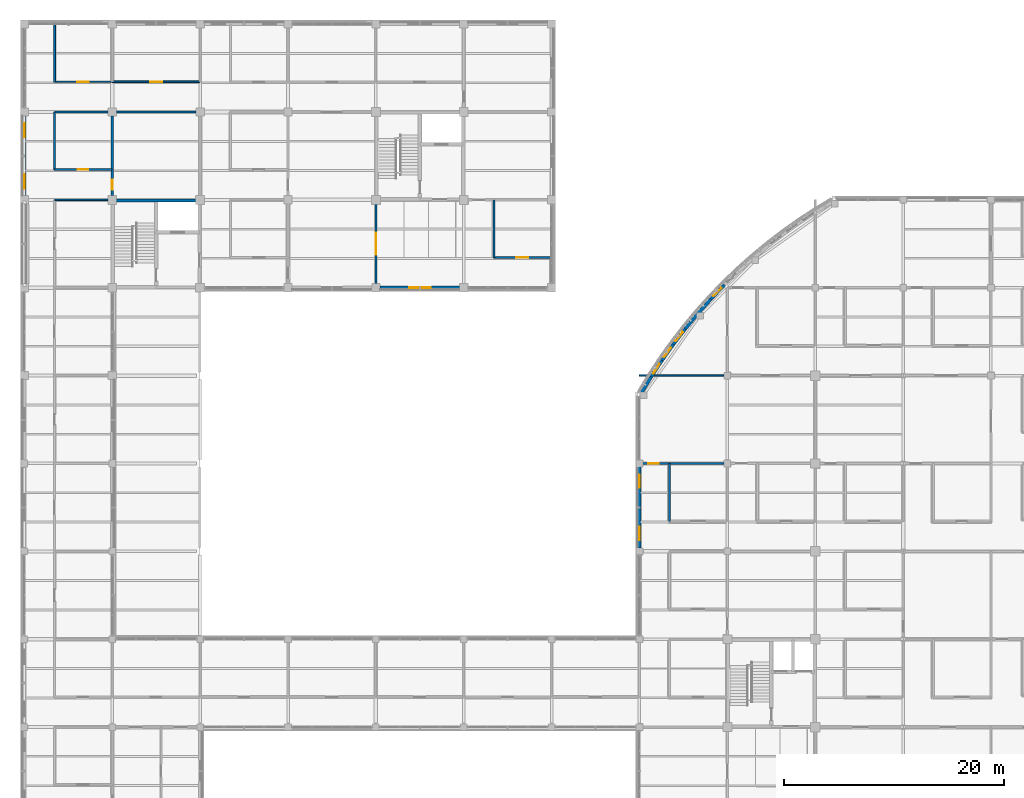
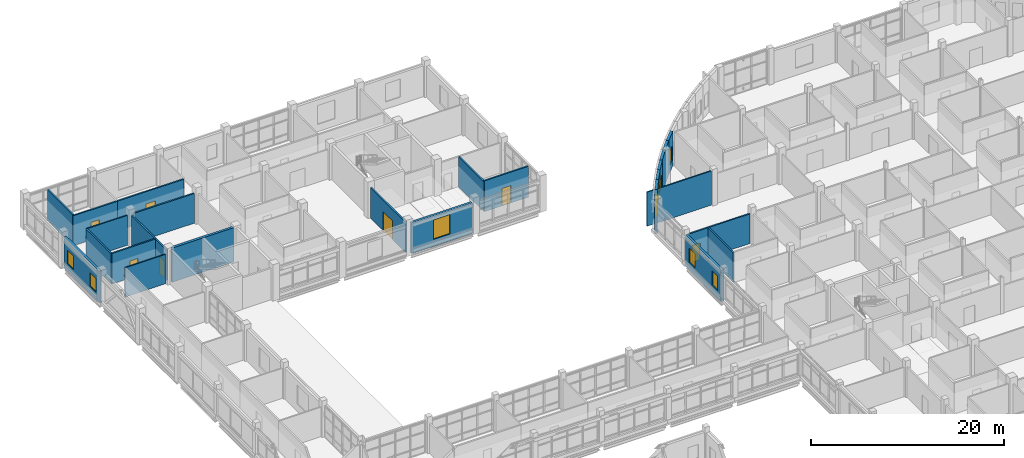
# One storey, part 86 of 121: 26 walls, 9 windows, 7 doors, 16 openings.
"""IFC4 building model written with IfcOpenShell, lengths in metres."""

from ifc_helpers import new_model, si_unit, derived_unit, direction, frame, frame_2d, origin, place, context, subcontext, project, spatial, rectangle, extrude, material, layer, layer_set, type_object, element, fill, save


model = new_model("IFC4")

# Units and contexts
model_context = context("Model", 3, precision=1e-05, world=origin(), true_north=direction((0.0, 1.0)))
body_context = subcontext(model_context, "Body", "Model", "MODEL_VIEW")
ifc_project = project(units=[si_unit("LENGTHUNIT", "METRE"), si_unit("AREAUNIT", "SQUARE_METRE"), si_unit("VOLUMEUNIT", "CUBIC_METRE"), si_unit("PLANEANGLEUNIT", "RADIAN"), si_unit("MASSUNIT", "GRAM", prefix="KILO"), derived_unit("THERMALTRANSMITTANCEUNIT", [(si_unit("MASSUNIT", "GRAM", prefix="KILO"), 1), (si_unit("TIMEUNIT", "SECOND"), -3), (si_unit("THERMODYNAMICTEMPERATUREUNIT", "KELVIN"), -1)])], contexts=[model_context])

# Site, building, storey
site_placement = place(None, origin())
site = spatial("IfcSite", under=ifc_project, at=site_placement, CompositionType="ELEMENT")
building_placement = place(site_placement, origin())
building = spatial("IfcBuilding", under=site, at=building_placement, Name="Veyamyaing Civic Hall", CompositionType="ELEMENT")
storey_placement = place(building_placement, frame((0.0, 0.0, 5.280029296875)))
storey = spatial("IfcBuildingStorey", under=building, at=storey_placement, Name="L01", CompositionType="ELEMENT", Elevation=5.280029296875)

# Wall, opening, window
ifc_material_1 = material(Name="Precast concrete C40/50", Category="concrete")
ifc_layer_1 = layer(ifc_material_1, 0.304931640625, Name="Precast concrete C40/50")
ifc_layer_set_1 = layer_set([ifc_layer_1], Name="Precast concrete C40/50")
wall_type_1 = type_object("IfcWallType", Name="WT-03", PredefinedType="SOLIDWALL", material=ifc_layer_set_1)
wall_1_placement = place(storey_placement, frame((63.73974609375, 88.264404296875, 0.0), z_axis=(0.0, 0.0, 1.0), x_axis=(-0.693722700342, -0.720242191926, 0.0)))
wall_1 = element("IfcWall", 1, at=wall_1_placement, inside=storey, type_object=wall_type_1, Name="Curved corner facade wall WT-03 L01 NW.8", PredefinedType="SOLIDWALL", context=body_context, shape_type="SweptSolid", body=[
    extrude(rectangle(XDim=1.795166015625, YDim=0.304931640625, at=frame_2d((0.8974609375, 0.0))), origin(), (0.0, 0.0, 1.0), 4.3349609375),
])
opening_1_placement = place(wall_1_placement, frame((0.37255859375, 0.0, 0.89990234375)))
opening_1 = element("IfcOpeningElement", 2, at=opening_1_placement, cuts=wall_1, Name="Opening W-16", PredefinedType="OPENING", context=body_context, shape_type="SweptSolid", body=[
    extrude(rectangle(XDim=1.050048828125, YDim=1.85009765625, at=frame_2d((0.52490234375, 0.925048828125))), frame((0.0, 0.162353515625, 0.0), z_axis=(0.0, -1.0, 0.0), x_axis=(1.0, 0.0, 0.0)), (0.0, 0.0, 1.0), 0.324951171875),
])
ifc_material_2 = material(Name="Low-E insulated glass", Category="glass")
window_type_1 = type_object("IfcWindowType", Name="W-16", PartitioningType="SINGLE_PANEL", PredefinedType="WINDOW", material=ifc_material_2)
window_1_placement = place(opening_1_placement, origin())
window_1 = element("IfcWindow", 3, at=window_1_placement, inside=storey, type_object=window_type_1, Name="Curved ribbon window W-16 L01 NW.8", OverallHeight=1.85009765625, OverallWidth=1.050048828125, PartitioningType="SINGLE_PANEL", PredefinedType="WINDOW", context=body_context, shape_type="SweptSolid", body=[
    extrude(rectangle(XDim=1.050048828125, YDim=1.85009765625, at=frame_2d((0.52490234375, 0.925048828125))), frame((0.0, 0.030029296875, 0.0), z_axis=(0.0, -1.0, 0.0), x_axis=(1.0, 0.0, 0.0)), (0.0, 0.0, 1.0), 0.06005859375),
])
fill(opening_1, window_1)

# Walls
wall_2_placement = place(storey_placement, frame((62.498291015625, 86.975830078125, 0.0), z_axis=(0.0, 0.0, 1.0), x_axis=(-0.666277888361, -0.745703543965, 0.0)))
element("IfcWall", 4, at=wall_2_placement, inside=storey, type_object=wall_type_1, Name="Curved corner facade wall WT-03 L01 NW.9", PredefinedType="SOLIDWALL", context=body_context, shape_type="SweptSolid", body=[
    extrude(rectangle(XDim=1.795166015625, YDim=0.304931640625, at=frame_2d((0.8974609375, 0.0))), origin(), (0.0, 0.0, 1.0), 4.3349609375),
])
wall_3_placement = place(storey_placement, frame((61.305908203125, 85.6416015625, 0.0), z_axis=(0.0, 0.0, 1.0), x_axis=(-0.638054732073, -0.769991012207, 0.0)))
element("IfcWall", 5, at=wall_3_placement, inside=storey, type_object=wall_type_1, Name="Curved corner facade wall WT-03 L01 NW.10", PredefinedType="SOLIDWALL", context=body_context, shape_type="SweptSolid", body=[
    extrude(rectangle(XDim=1.794921875, YDim=0.304931640625, at=frame_2d((0.8974609375, 0.0))), origin(), (0.0, 0.0, 1.0), 4.3349609375),
])

# Wall, opening, window
wall_4_placement = place(storey_placement, frame((60.164306640625, 84.263916015625, 0.0), z_axis=(0.0, 0.0, 1.0), x_axis=(-0.608776981616, -0.793341406114, 0.0)))
wall_4 = element("IfcWall", 6, at=wall_4_placement, inside=storey, type_object=wall_type_1, Name="Curved corner facade wall WT-03 L01 NW.11", PredefinedType="SOLIDWALL", context=body_context, shape_type="SweptSolid", body=[
    extrude(rectangle(XDim=1.794921875, YDim=0.304931640625, at=frame_2d((0.8974609375, 0.0))), origin(), (0.0, 0.0, 1.0), 4.3349609375),
])
opening_2_placement = place(wall_4_placement, frame((0.37255859375, 0.0, 0.89990234375)))
opening_2 = element("IfcOpeningElement", 7, at=opening_2_placement, cuts=wall_4, Name="Opening W-16", PredefinedType="OPENING", context=body_context, shape_type="SweptSolid", body=[
    extrude(rectangle(XDim=1.050048828125, YDim=1.85009765625, at=frame_2d((0.52490234375, 0.925048828125))), frame((0.0, 0.162353515625, 0.0), z_axis=(0.0, -1.0, 0.0), x_axis=(1.0, 0.0, 0.0)), (0.0, 0.0, 1.0), 0.324951171875),
])
window_2_placement = place(opening_2_placement, origin())
window_2 = element("IfcWindow", 8, at=window_2_placement, inside=storey, type_object=window_type_1, Name="Curved ribbon window W-16 L01 NW.11", OverallHeight=1.85009765625, OverallWidth=1.050048828125, PartitioningType="SINGLE_PANEL", PredefinedType="WINDOW", context=body_context, shape_type="SweptSolid", body=[
    extrude(rectangle(XDim=1.050048828125, YDim=1.85009765625, at=frame_2d((0.52490234375, 0.925048828125))), frame((0.0, 0.030029296875, 0.0), z_axis=(0.0, -1.0, 0.0), x_axis=(1.0, 0.0, 0.0)), (0.0, 0.0, 1.0), 0.06005859375),
])
fill(opening_2, window_2)

wall_5_placement = place(storey_placement, frame((59.074951171875, 82.844482421875, 0.0), z_axis=(0.0, 0.0, 1.0), x_axis=(-0.578662393636, -0.815567185578, 0.0)))
wall_5 = element("IfcWall", 9, at=wall_5_placement, inside=storey, type_object=wall_type_1, Name="Curved corner facade wall WT-03 L01 NW.12", PredefinedType="SOLIDWALL", context=body_context, shape_type="SweptSolid", body=[
    extrude(rectangle(XDim=1.795166015625, YDim=0.304931640625, at=frame_2d((0.8974609375, 0.0))), origin(), (0.0, 0.0, 1.0), 4.3349609375),
])
opening_3_placement = place(wall_5_placement, frame((0.37255859375, 0.0, 0.89990234375)))
opening_3 = element("IfcOpeningElement", 10, at=opening_3_placement, cuts=wall_5, Name="Opening W-16", PredefinedType="OPENING", context=body_context, shape_type="SweptSolid", body=[
    extrude(rectangle(XDim=1.050048828125, YDim=1.85009765625, at=frame_2d((0.52490234375, 0.925048828125))), frame((0.0, 0.162353515625, 0.0), z_axis=(0.0, -1.0, 0.0), x_axis=(1.0, 0.0, 0.0)), (0.0, 0.0, 1.0), 0.324951171875),
])
window_3_placement = place(opening_3_placement, origin())
window_3 = element("IfcWindow", 11, at=window_3_placement, inside=storey, type_object=window_type_1, Name="Curved ribbon window W-16 L01 NW.12", OverallHeight=1.85009765625, OverallWidth=1.050048828125, PartitioningType="SINGLE_PANEL", PredefinedType="WINDOW", context=body_context, shape_type="SweptSolid", body=[
    extrude(rectangle(XDim=1.050048828125, YDim=1.85009765625, at=frame_2d((0.52490234375, 0.925048828125))), frame((0.0, 0.030029296875, 0.0), z_axis=(0.0, -1.0, 0.0), x_axis=(1.0, 0.0, 0.0)), (0.0, 0.0, 1.0), 0.06005859375),
])
fill(opening_3, window_3)

wall_6_placement = place(storey_placement, frame((58.039306640625, 81.38525390625, 0.0), z_axis=(0.0, 0.0, 1.0), x_axis=(-0.547681678944, -0.836686786408, 0.0)))
wall_6 = element("IfcWall", 12, at=wall_6_placement, inside=storey, type_object=wall_type_1, Name="Curved corner facade wall WT-03 L01 NW.13", PredefinedType="SOLIDWALL", context=body_context, shape_type="SweptSolid", body=[
    extrude(rectangle(XDim=1.795166015625, YDim=0.304931640625, at=frame_2d((0.8974609375, 0.0))), origin(), (0.0, 0.0, 1.0), 4.3349609375),
])
opening_4_placement = place(wall_6_placement, frame((0.37255859375, 0.0, 0.89990234375)))
opening_4 = element("IfcOpeningElement", 13, at=opening_4_placement, cuts=wall_6, Name="Opening W-16", PredefinedType="OPENING", context=body_context, shape_type="SweptSolid", body=[
    extrude(rectangle(XDim=1.050048828125, YDim=1.85009765625, at=frame_2d((0.52490234375, 0.925048828125))), frame((0.0, 0.162353515625, 0.0), z_axis=(0.0, -1.0, 0.0), x_axis=(1.0, 0.0, 0.0)), (0.0, 0.0, 1.0), 0.324951171875),
])
window_4_placement = place(opening_4_placement, origin())
window_4 = element("IfcWindow", 14, at=window_4_placement, inside=storey, type_object=window_type_1, Name="Curved ribbon window W-16 L01 NW.13", OverallHeight=1.85009765625, OverallWidth=1.050048828125, PartitioningType="SINGLE_PANEL", PredefinedType="WINDOW", context=body_context, shape_type="SweptSolid", body=[
    extrude(rectangle(XDim=1.050048828125, YDim=1.85009765625, at=frame_2d((0.52490234375, 0.925048828125))), frame((0.0, 0.030029296875, 0.0), z_axis=(0.0, -1.0, 0.0), x_axis=(1.0, 0.0, 0.0)), (0.0, 0.0, 1.0), 0.06005859375),
])
fill(opening_4, window_4)

# Wall
wall_7_placement = place(storey_placement, frame((57.05908203125, 79.88818359375, 0.0), z_axis=(0.0, 0.0, 1.0), x_axis=(-0.51607516088, -0.856543302071, 0.0)))
element("IfcWall", 15, at=wall_7_placement, inside=storey, type_object=wall_type_1, Name="Curved corner facade wall WT-03 L01 NW.14", PredefinedType="SOLIDWALL", context=body_context, shape_type="SweptSolid", body=[
    extrude(rectangle(XDim=1.794921875, YDim=0.304931640625, at=frame_2d((0.8974609375, 0.0))), origin(), (0.0, 0.0, 1.0), 4.3349609375),
])

# Wall, openings, windows
wall_8_placement = place(storey_placement, frame((56.0, 64.284912109375, 0.0), z_axis=(0.0, 0.0, 1.0), x_axis=(0.0, 1.0, 0.0)))
wall_8 = element("IfcWall", 16, at=wall_8_placement, inside=storey, type_object=wall_type_1, Name="Exterior facade wall WT-03 L01 W 8.9", PredefinedType="SOLIDWALL", context=body_context, shape_type="SweptSolid", body=[
    extrude(rectangle(XDim=7.43017578125, YDim=0.304931640625, at=frame_2d((3.715087890625, 0.0))), origin(), (0.0, 0.0, 1.0), 3.955078125),
])
opening_5_placement = place(wall_8_placement, frame((0.7373046875, 0.0, 0.949951171875)))
opening_5 = element("IfcOpeningElement", 17, at=opening_5_placement, cuts=wall_8, Name="Opening W-14", PredefinedType="OPENING", context=body_context, shape_type="SweptSolid", body=[
    extrude(rectangle(XDim=1.199951171875, YDim=1.800048828125, at=frame_2d((0.60009765625, 0.89990234375))), frame((0.0, 0.162353515625, 0.0), z_axis=(0.0, -1.0, 0.0), x_axis=(1.0, 0.0, 0.0)), (0.0, 0.0, 1.0), 0.324951171875),
])
opening_6_placement = place(wall_8_placement, frame((5.49267578125, 0.0, 0.949951171875)))
opening_6 = element("IfcOpeningElement", 18, at=opening_6_placement, cuts=wall_8, Name="Opening W-14", PredefinedType="OPENING", context=body_context, shape_type="SweptSolid", body=[
    extrude(rectangle(XDim=1.199951171875, YDim=1.800048828125, at=frame_2d((0.60009765625, 0.89990234375))), frame((0.0, 0.162353515625, 0.0), z_axis=(0.0, -1.0, 0.0), x_axis=(1.0, 0.0, 0.0)), (0.0, 0.0, 1.0), 0.324951171875),
])
window_type_2 = type_object("IfcWindowType", Name="W-14", PartitioningType="SINGLE_PANEL", PredefinedType="WINDOW", material=ifc_material_2)
window_5_placement = place(opening_5_placement, origin())
window_5 = element("IfcWindow", 19, at=window_5_placement, inside=storey, type_object=window_type_2, Name="Facade window W-14 L01 W 8.9.1", OverallHeight=1.800048828125, OverallWidth=1.199951171875, PartitioningType="SINGLE_PANEL", PredefinedType="WINDOW", context=body_context, shape_type="SweptSolid", body=[
    extrude(rectangle(XDim=1.199951171875, YDim=1.800048828125, at=frame_2d((0.60009765625, 0.89990234375))), frame((0.0, 0.030029296875, 0.0), z_axis=(0.0, -1.0, 0.0), x_axis=(1.0, 0.0, 0.0)), (0.0, 0.0, 1.0), 0.06005859375),
])
fill(opening_5, window_5)
window_6_placement = place(opening_6_placement, origin())
window_6 = element("IfcWindow", 20, at=window_6_placement, inside=storey, type_object=window_type_2, Name="Facade window W-14 L01 W 8.9.2", OverallHeight=1.800048828125, OverallWidth=1.199951171875, PartitioningType="SINGLE_PANEL", PredefinedType="WINDOW", context=body_context, shape_type="SweptSolid", body=[
    extrude(rectangle(XDim=1.199951171875, YDim=1.800048828125, at=frame_2d((0.60009765625, 0.89990234375))), frame((0.0, 0.030029296875, 0.0), z_axis=(0.0, -1.0, 0.0), x_axis=(1.0, 0.0, 0.0)), (0.0, 0.0, 1.0), 0.06005859375),
])
fill(opening_6, window_6)

ifc_layer_2 = layer(ifc_material_1, 0.280029296875, Name="Precast concrete C40/50")
ifc_layer_set_2 = layer_set([ifc_layer_2], Name="Precast concrete C40/50")
wall_type_2 = type_object("IfcWallType", Name="WT-04", PredefinedType="SOLIDWALL", material=ifc_layer_set_2)
wall_9_placement = place(storey_placement, frame((0.0, 96.360107421875, 0.0), z_axis=(0.0, 0.0, 1.0), x_axis=(0.0, 1.0, 0.0)))
wall_9 = element("IfcWall", 21, at=wall_9_placement, inside=storey, type_object=wall_type_2, Name="Exterior facade wall WT-04 L01 W 1.13", PredefinedType="SOLIDWALL", context=body_context, shape_type="SweptSolid", body=[
    extrude(rectangle(XDim=7.27978515625, YDim=0.280029296875, at=frame_2d((3.639892578125, 0.0))), origin(), (0.0, 0.0, 1.0), 3.973876953125),
])
opening_7_placement = place(wall_9_placement, frame((0.67041015625, 0.0, 0.949951171875)))
opening_7 = element("IfcOpeningElement", 22, at=opening_7_placement, cuts=wall_9, Name="Opening W-31", PredefinedType="OPENING", context=body_context, shape_type="SweptSolid", body=[
    extrude(rectangle(XDim=1.280029296875, YDim=1.719970703125, at=frame_2d((0.64013671875, 0.85986328125))), frame((0.0, 0.14990234375, 0.0), z_axis=(0.0, -1.0, 0.0), x_axis=(1.0, 0.0, 0.0)), (0.0, 0.0, 1.0), 0.300048828125),
])
opening_8_placement = place(wall_9_placement, frame((5.32958984375, 0.0, 0.949951171875)))
opening_8 = element("IfcOpeningElement", 23, at=opening_8_placement, cuts=wall_9, Name="Opening W-31", PredefinedType="OPENING", context=body_context, shape_type="SweptSolid", body=[
    extrude(rectangle(XDim=1.280029296875, YDim=1.719970703125, at=frame_2d((0.64013671875, 0.85986328125))), frame((0.0, 0.14990234375, 0.0), z_axis=(0.0, -1.0, 0.0), x_axis=(1.0, 0.0, 0.0)), (0.0, 0.0, 1.0), 0.300048828125),
])
window_type_3 = type_object("IfcWindowType", Name="W-31", PartitioningType="SINGLE_PANEL", PredefinedType="WINDOW", material=ifc_material_2)
window_7_placement = place(opening_7_placement, origin())
window_7 = element("IfcWindow", 24, at=window_7_placement, inside=storey, type_object=window_type_3, Name="Facade window W-31 L01 W 1.13.1", OverallHeight=1.719970703125, OverallWidth=1.280029296875, PartitioningType="SINGLE_PANEL", PredefinedType="WINDOW", context=body_context, shape_type="SweptSolid", body=[
    extrude(rectangle(XDim=1.280029296875, YDim=1.719970703125, at=frame_2d((0.64013671875, 0.85986328125))), frame((0.0, 0.030029296875, 0.0), z_axis=(0.0, -1.0, 0.0), x_axis=(1.0, 0.0, 0.0)), (0.0, 0.0, 1.0), 0.06005859375),
])
fill(opening_7, window_7)
window_8_placement = place(opening_8_placement, origin())
window_8 = element("IfcWindow", 25, at=window_8_placement, inside=storey, type_object=window_type_3, Name="Facade window W-31 L01 W 1.13.2", OverallHeight=1.719970703125, OverallWidth=1.280029296875, PartitioningType="SINGLE_PANEL", PredefinedType="WINDOW", context=body_context, shape_type="SweptSolid", body=[
    extrude(rectangle(XDim=1.280029296875, YDim=1.719970703125, at=frame_2d((0.64013671875, 0.85986328125))), frame((0.0, 0.030029296875, 0.0), z_axis=(0.0, -1.0, 0.0), x_axis=(1.0, 0.0, 0.0)), (0.0, 0.0, 1.0), 0.06005859375),
])
fill(opening_8, window_8)

# Wall, opening, window
wall_10_placement = place(storey_placement, frame((32.360107421875, 88.0, 0.0), z_axis=(0.0, 0.0, 1.0), x_axis=(1.0, 0.0, 0.0)))
wall_10 = element("IfcWall", 26, at=wall_10_placement, inside=storey, type_object=wall_type_2, Name="Exterior facade wall WT-04 L01 S 5.12", PredefinedType="SOLIDWALL", context=body_context, shape_type="SweptSolid", body=[
    extrude(rectangle(XDim=7.27978515625, YDim=0.280029296875, at=frame_2d((3.639892578125, 0.0))), origin(), (0.0, 0.0, 1.0), 3.909912109375),
])
opening_9_placement = place(wall_10_placement, frame((2.6650390625, 0.0, 0.89990234375)))
opening_9 = element("IfcOpeningElement", 27, at=opening_9_placement, cuts=wall_10, Name="Opening W-26", PredefinedType="OPENING", context=body_context, shape_type="SweptSolid", body=[
    extrude(rectangle(XDim=1.949951171875, YDim=2.449951171875, at=frame_2d((0.97509765625, 1.22509765625))), frame((0.0, 0.14990234375, 0.0), z_axis=(0.0, -1.0, 0.0), x_axis=(1.0, 0.0, 0.0)), (0.0, 0.0, 1.0), 0.300048828125),
])
window_type_4 = type_object("IfcWindowType", Name="W-26", PartitioningType="SINGLE_PANEL", PredefinedType="WINDOW", material=ifc_material_2)
window_9_placement = place(opening_9_placement, origin())
window_9 = element("IfcWindow", 28, at=window_9_placement, inside=storey, type_object=window_type_4, Name="Facade window W-26 L01 S 5.12", OverallHeight=2.449951171875, OverallWidth=1.949951171875, PartitioningType="SINGLE_PANEL", PredefinedType="WINDOW", context=body_context, shape_type="SweptSolid", body=[
    extrude(rectangle(XDim=1.949951171875, YDim=2.449951171875, at=frame_2d((0.97509765625, 1.22509765625))), frame((0.0, 0.030029296875, 0.0), z_axis=(0.0, -1.0, 0.0), x_axis=(1.0, 0.0, 0.0)), (0.0, 0.0, 1.0), 0.06005859375),
])
fill(opening_9, window_9)

# Wall
ifc_material_3 = material(Name="Concrete C40/50", Category="concrete")
ifc_layer_3 = layer(ifc_material_3, 0.300048828125, Name="Concrete C40/50")
ifc_layer_set_3 = layer_set([ifc_layer_3], Name="Concrete C40/50")
wall_type_3 = type_object("IfcWallType", Name="WT-05", PredefinedType="SHEAR", material=ifc_layer_set_3)
wall_11_placement = place(storey_placement, frame((8.2900390625, 95.949951171875, 0.0), z_axis=(0.0, 0.0, 1.0), x_axis=(1.0, 0.0, 0.0)))
element("IfcWall", 29, at=wall_11_placement, inside=storey, type_object=wall_type_3, Name="Core shear wall WT-05 CORE-1 L01.N", PredefinedType="SHEAR", context=body_context, shape_type="SweptSolid", body=[
    extrude(rectangle(XDim=7.419921875, YDim=0.300048828125, at=frame_2d((3.7099609375, 0.0))), origin(), (0.0, 0.0, 1.0), 4.3349609375),
])

# Wall, opening, door
ifc_material_4 = material(Name="Gypsum board on acoustic steel stud", Category="steel")
ifc_layer_4 = layer(ifc_material_4, 0.175048828125, Name="Gypsum board on acoustic steel stud")
ifc_layer_set_4 = layer_set([ifc_layer_4], Name="Gypsum board on acoustic steel stud")
wall_type_4 = type_object("IfcWallType", Name="WT-07", PredefinedType="PARTITIONING", material=ifc_layer_set_4)
wall_12_placement = place(storey_placement, frame((2.699951171875, 106.75, 0.0), z_axis=(0.0, 0.0, 1.0), x_axis=(1.0, 0.0, 0.0)))
wall_12 = element("IfcWall", 30, at=wall_12_placement, inside=storey, type_object=wall_type_4, Name="Corridor gallery partition WT-07 L01.11.1", PredefinedType="PARTITIONING", context=body_context, shape_type="SweptSolid", body=[
    extrude(rectangle(XDim=5.280029296875, YDim=0.175048828125, at=frame_2d((2.64013671875, 0.0))), origin(), (0.0, 0.0, 1.0), 3.781005859375),
])
opening_10_placement = place(wall_12_placement, frame((2.1298828125, 0.0, 0.0)))
opening_10 = element("IfcOpeningElement", 31, at=opening_10_placement, cuts=wall_12, Name="Opening D-19", PredefinedType="OPENING", context=body_context, shape_type="SweptSolid", body=[
    extrude(rectangle(XDim=1.02001953125, YDim=2.199951171875, at=frame_2d((0.510009765625, 1.10009765625))), frame((0.0, 0.097412109375, 0.0), z_axis=(0.0, -1.0, 0.0), x_axis=(1.0, 0.0, 0.0)), (0.0, 0.0, 1.0), 0.195068359375),
])
ifc_material_5 = material(Name="Teak-veneered acoustic timber", Category="wood")
door_type_1 = type_object("IfcDoorType", Name="D-19", OperationType="NOTDEFINED", PredefinedType="DOOR", material=ifc_material_5)
door_1_placement = place(opening_10_placement, origin())
door_1 = element("IfcDoor", 32, at=door_1_placement, inside=storey, type_object=door_type_1, Name="Gallery office door D-19 L01.11", OperationType="SINGLE_SWING_LEFT", OverallHeight=2.199951171875, OverallWidth=1.02001953125, PredefinedType="DOOR", context=body_context, shape_type="SweptSolid", body=[
    extrude(rectangle(XDim=1.02001953125, YDim=2.199951171875, at=frame_2d((0.510009765625, 1.10009765625))), frame((0.0, 0.02490234375, 0.0), z_axis=(0.0, -1.0, 0.0), x_axis=(1.0, 0.0, 0.0)), (0.0, 0.0, 1.0), 0.050048828125),
])
fill(opening_10, door_1)

# Wall
wall_13_placement = place(storey_placement, frame((2.75, 106.699951171875, 0.0), z_axis=(0.0, 0.0, 1.0), x_axis=(0.0, 1.0, 0.0)))
element("IfcWall", 33, at=wall_13_placement, inside=storey, type_object=wall_type_4, Name="Corridor gallery partition WT-07 L01.11.2", PredefinedType="PARTITIONING", context=body_context, shape_type="SweptSolid", body=[
    extrude(rectangle(XDim=5.280029296875, YDim=0.175048828125, at=frame_2d((2.64013671875, 0.0))), origin(), (0.0, 0.0, 1.0), 3.9130859375),
])

# Wall, opening, door
wall_14_placement = place(storey_placement, frame((8.02001953125, 106.75, 0.0), z_axis=(0.0, 0.0, 1.0), x_axis=(1.0, 0.0, 0.0)))
wall_14 = element("IfcWall", 34, at=wall_14_placement, inside=storey, type_object=wall_type_4, Name="Corridor gallery partition WT-07 L01.15.1", PredefinedType="PARTITIONING", context=body_context, shape_type="SweptSolid", body=[
    extrude(rectangle(XDim=7.9599609375, YDim=0.175048828125, at=frame_2d((3.97998046875, 0.0))), origin(), (0.0, 0.0, 1.0), 3.781005859375),
])
opening_11_placement = place(wall_14_placement, frame((3.419921875, 0.0, 0.0)))
opening_11 = element("IfcOpeningElement", 35, at=opening_11_placement, cuts=wall_14, Name="Opening D-26", PredefinedType="OPENING", context=body_context, shape_type="SweptSolid", body=[
    extrude(rectangle(XDim=1.1201171875, YDim=2.219970703125, at=frame_2d((0.56005859375, 1.10986328125))), frame((0.0, 0.097412109375, 0.0), z_axis=(0.0, -1.0, 0.0), x_axis=(1.0, 0.0, 0.0)), (0.0, 0.0, 1.0), 0.195068359375),
])
door_type_2 = type_object("IfcDoorType", Name="D-26", OperationType="NOTDEFINED", PredefinedType="DOOR", material=ifc_material_5)
door_2_placement = place(opening_11_placement, origin())
door_2 = element("IfcDoor", 36, at=door_2_placement, inside=storey, type_object=door_type_2, Name="Gallery office door D-26 L01.15", OperationType="SINGLE_SWING_LEFT", OverallHeight=2.219970703125, OverallWidth=1.1201171875, PredefinedType="DOOR", context=body_context, shape_type="SweptSolid", body=[
    extrude(rectangle(XDim=1.1201171875, YDim=2.219970703125, at=frame_2d((0.56005859375, 1.10986328125))), frame((0.0, 0.02490234375, 0.0), z_axis=(0.0, -1.0, 0.0), x_axis=(1.0, 0.0, 0.0)), (0.0, 0.0, 1.0), 0.050048828125),
])
fill(opening_11, door_2)

wall_15_placement = place(storey_placement, frame((56.2900390625, 72.0, 0.0), z_axis=(0.0, 0.0, 1.0), x_axis=(1.0, 0.0, 0.0)))
wall_15 = element("IfcWall", 37, at=wall_15_placement, inside=storey, type_object=wall_type_4, Name="Interior partition wall WT-07 L01.29", PredefinedType="PARTITIONING", context=body_context, shape_type="SweptSolid", body=[
    extrude(rectangle(XDim=7.419921875, YDim=0.175048828125, at=frame_2d((3.7099609375, 0.0))), origin(), (0.0, 0.0, 1.0), 3.757080078125),
])
opening_12_placement = place(wall_15_placement, frame((0.52001953125, 0.0, 0.0)))
opening_12 = element("IfcOpeningElement", 38, at=opening_12_placement, cuts=wall_15, Name="Opening D-30", PredefinedType="OPENING", context=body_context, shape_type="SweptSolid", body=[
    extrude(rectangle(XDim=0.93994140625, YDim=2.1201171875, at=frame_2d((0.469970703125, 1.06005859375))), frame((0.0, 0.097412109375, 0.0), z_axis=(0.0, -1.0, 0.0), x_axis=(1.0, 0.0, 0.0)), (0.0, 0.0, 1.0), 0.195068359375),
])
door_type_3 = type_object("IfcDoorType", Name="D-30", OperationType="NOTDEFINED", PredefinedType="DOOR", material=ifc_material_5)
door_3_placement = place(opening_12_placement, origin())
door_3 = element("IfcDoor", 39, at=door_3_placement, inside=storey, type_object=door_type_3, Name="Interior door D-30 L01.29", OperationType="SINGLE_SWING_RIGHT", OverallHeight=2.1201171875, OverallWidth=0.93994140625, PredefinedType="DOOR", context=body_context, shape_type="SweptSolid", body=[
    extrude(rectangle(XDim=0.93994140625, YDim=2.1201171875, at=frame_2d((0.469970703125, 1.06005859375))), frame((0.0, 0.02490234375, 0.0), z_axis=(0.0, -1.0, 0.0), x_axis=(1.0, 0.0, 0.0)), (0.0, 0.0, 1.0), 0.050048828125),
])
fill(opening_12, door_3)

# Walls
ifc_material_6 = material(Name="Gypsum board on steel stud", Category="steel")
ifc_layer_5 = layer(ifc_material_6, 0.14990234375, Name="Gypsum board on steel stud")
ifc_layer_set_5 = layer_set([ifc_layer_5], Name="Gypsum board on steel stud")
wall_type_5 = type_object("IfcWallType", Name="WT-08", PredefinedType="PARTITIONING", material=ifc_layer_set_5)
wall_16_placement = place(storey_placement, frame((2.75, 96.0, 0.0), z_axis=(0.0, 0.0, 1.0), x_axis=(1.0, 0.0, 0.0)))
element("IfcWall", 40, at=wall_16_placement, inside=storey, type_object=wall_type_5, Name="Gallery office end partition WT-08 L01.9.2", PredefinedType="PARTITIONING", context=body_context, shape_type="SweptSolid", body=[
    extrude(rectangle(XDim=4.840087890625, YDim=0.14990234375, at=frame_2d((2.419921875, 0.0))), origin(), (0.0, 0.0, 1.0), 3.7119140625),
])
wall_17_placement = place(storey_placement, frame((2.75, 104.0, 0.0), z_axis=(0.0, 0.0, 1.0), x_axis=(1.0, 0.0, 0.0)))
element("IfcWall", 41, at=wall_17_placement, inside=storey, type_object=wall_type_5, Name="Gallery office end partition WT-08 L01.10.1", PredefinedType="PARTITIONING", context=body_context, shape_type="SweptSolid", body=[
    extrude(rectangle(XDim=4.864990234375, YDim=0.14990234375, at=frame_2d((2.4326171875, 0.0))), origin(), (0.0, 0.0, 1.0), 3.786865234375),
])
wall_18_placement = place(storey_placement, frame((56.0, 80.0, 0.0), z_axis=(0.0, 0.0, 1.0), x_axis=(1.0, 0.0, 0.0)))
element("IfcWall", 42, at=wall_18_placement, inside=storey, type_object=wall_type_5, Name="Interior partition wall WT-08 L01.30", PredefinedType="PARTITIONING", context=body_context, shape_type="SweptSolid", body=[
    extrude(rectangle(XDim=7.7099609375, YDim=0.14990234375, at=frame_2d((3.85498046875, 0.0))), origin(), (0.0, 0.0, 1.0), 4.324951171875),
])

# Wall, opening, door
ifc_material_7 = material(Name="Gypsum board on double acoustic stud")
ifc_layer_6 = layer(ifc_material_7, 0.18505859375, Name="Gypsum board on double acoustic stud")
ifc_layer_set_6 = layer_set([ifc_layer_6], Name="Gypsum board on double acoustic stud")
wall_type_6 = type_object("IfcWallType", Name="WT-19", PredefinedType="PARTITIONING", material=ifc_layer_set_6)
wall_19_placement = place(storey_placement, frame((2.699951171875, 98.75, 0.0), z_axis=(0.0, 0.0, 1.0), x_axis=(1.0, 0.0, 0.0)))
wall_19 = element("IfcWall", 43, at=wall_19_placement, inside=storey, type_object=wall_type_6, Name="Corridor gallery partition WT-19 L01.10.1", PredefinedType="PARTITIONING", context=body_context, shape_type="SweptSolid", body=[
    extrude(rectangle(XDim=5.280029296875, YDim=0.18505859375, at=frame_2d((2.64013671875, 0.0))), origin(), (0.0, 0.0, 1.0), 3.85693359375),
])
opening_13_placement = place(wall_19_placement, frame((2.14990234375, 0.0, 0.0)))
opening_13 = element("IfcOpeningElement", 44, at=opening_13_placement, cuts=wall_19, Name="Opening D-14", PredefinedType="OPENING", context=body_context, shape_type="SweptSolid", body=[
    extrude(rectangle(XDim=0.97998046875, YDim=2.14990234375, at=frame_2d((0.489990234375, 1.074951171875))), frame((0.0, 0.1025390625, 0.0), z_axis=(0.0, -1.0, 0.0), x_axis=(1.0, 0.0, 0.0)), (0.0, 0.0, 1.0), 0.205078125),
])
door_type_4 = type_object("IfcDoorType", Name="D-14", OperationType="NOTDEFINED", PredefinedType="DOOR", material=ifc_material_5)
door_4_placement = place(opening_13_placement, origin())
door_4 = element("IfcDoor", 45, at=door_4_placement, inside=storey, type_object=door_type_4, Name="Gallery office door D-14 L01.10", OperationType="SINGLE_SWING_RIGHT", OverallHeight=2.14990234375, OverallWidth=0.97998046875, PredefinedType="DOOR", context=body_context, shape_type="SweptSolid", body=[
    extrude(rectangle(XDim=0.97998046875, YDim=2.14990234375, at=frame_2d((0.489990234375, 1.074951171875))), frame((0.0, 0.02490234375, 0.0), z_axis=(0.0, -1.0, 0.0), x_axis=(1.0, 0.0, 0.0)), (0.0, 0.0, 1.0), 0.050048828125),
])
fill(opening_13, door_4)

# Wall
wall_20_placement = place(storey_placement, frame((2.75, 98.699951171875, 0.0), z_axis=(0.0, 0.0, 1.0), x_axis=(0.0, 1.0, 0.0)))
element("IfcWall", 46, at=wall_20_placement, inside=storey, type_object=wall_type_6, Name="Corridor gallery partition WT-19 L01.10.2", PredefinedType="PARTITIONING", context=body_context, shape_type="SweptSolid", body=[
    extrude(rectangle(XDim=5.280029296875, YDim=0.18505859375, at=frame_2d((2.64013671875, 0.0))), origin(), (0.0, 0.0, 1.0), 3.786865234375),
])

# Wall, opening, door
wall_21_placement = place(storey_placement, frame((42.699951171875, 90.75, 0.0), z_axis=(0.0, 0.0, 1.0), x_axis=(1.0, 0.0, 0.0)))
wall_21 = element("IfcWall", 47, at=wall_21_placement, inside=storey, type_object=wall_type_6, Name="Corridor gallery partition WT-19 L01.32.1", PredefinedType="PARTITIONING", context=body_context, shape_type="SweptSolid", body=[
    extrude(rectangle(XDim=5.280029296875, YDim=0.18505859375, at=frame_2d((2.64013671875, 0.0))), origin(), (0.0, 0.0, 1.0), 3.906982421875),
])
opening_14_placement = place(wall_21_placement, frame((2.10009765625, 0.0, 0.0)))
opening_14 = element("IfcOpeningElement", 48, at=opening_14_placement, cuts=wall_21, Name="Opening D-23", PredefinedType="OPENING", context=body_context, shape_type="SweptSolid", body=[
    extrude(rectangle(XDim=1.080078125, YDim=2.199951171875, at=frame_2d((0.5400390625, 1.10009765625))), frame((0.0, 0.1025390625, 0.0), z_axis=(0.0, -1.0, 0.0), x_axis=(1.0, 0.0, 0.0)), (0.0, 0.0, 1.0), 0.205078125),
])
door_type_5 = type_object("IfcDoorType", Name="D-23", OperationType="NOTDEFINED", PredefinedType="DOOR", material=ifc_material_5)
door_5_placement = place(opening_14_placement, origin())
door_5 = element("IfcDoor", 49, at=door_5_placement, inside=storey, type_object=door_type_5, Name="Gallery office door D-23 L01.32", OperationType="SINGLE_SWING_RIGHT", OverallHeight=2.199951171875, OverallWidth=1.080078125, PredefinedType="DOOR", context=body_context, shape_type="SweptSolid", body=[
    extrude(rectangle(XDim=1.080078125, YDim=2.199951171875, at=frame_2d((0.5400390625, 1.10009765625))), frame((0.0, 0.02490234375, 0.0), z_axis=(0.0, -1.0, 0.0), x_axis=(1.0, 0.0, 0.0)), (0.0, 0.0, 1.0), 0.050048828125),
])
fill(opening_14, door_5)

# Walls
wall_22_placement = place(storey_placement, frame((42.75, 90.699951171875, 0.0), z_axis=(0.0, 0.0, 1.0), x_axis=(0.0, 1.0, 0.0)))
element("IfcWall", 50, at=wall_22_placement, inside=storey, type_object=wall_type_6, Name="Corridor gallery partition WT-19 L01.32.2", PredefinedType="PARTITIONING", context=body_context, shape_type="SweptSolid", body=[
    extrude(rectangle(XDim=5.280029296875, YDim=0.18505859375, at=frame_2d((2.64013671875, 0.0))), origin(), (0.0, 0.0, 1.0), 3.786865234375),
])
wall_23_placement = place(storey_placement, frame((58.75, 66.699951171875, 0.0), z_axis=(0.0, 0.0, 1.0), x_axis=(0.0, 1.0, 0.0)))
element("IfcWall", 51, at=wall_23_placement, inside=storey, type_object=wall_type_6, Name="Corridor gallery partition WT-19 L01.36.2", PredefinedType="PARTITIONING", context=body_context, shape_type="SweptSolid", body=[
    extrude(rectangle(XDim=5.280029296875, YDim=0.18505859375, at=frame_2d((2.64013671875, 0.0))), origin(), (0.0, 0.0, 1.0), 3.757080078125),
])

# Wall, opening, door
wall_24_placement = place(storey_placement, frame((8.0, 96.389892578125, 0.0), z_axis=(0.0, 0.0, 1.0), x_axis=(0.0, 1.0, 0.0)))
wall_24 = element("IfcWall", 52, at=wall_24_placement, inside=storey, type_object=wall_type_6, Name="Interior partition wall WT-19 L01.6", PredefinedType="PARTITIONING", context=body_context, shape_type="SweptSolid", body=[
    extrude(rectangle(XDim=7.2451171875, YDim=0.18505859375, at=frame_2d((3.62255859375, 0.0))), origin(), (0.0, 0.0, 1.0), 3.85693359375),
])
opening_15_placement = place(wall_24_placement, frame((0.52001953125, 0.0, 0.0)))
opening_15 = element("IfcOpeningElement", 53, at=opening_15_placement, cuts=wall_24, Name="Opening D-30", PredefinedType="OPENING", context=body_context, shape_type="SweptSolid", body=[
    extrude(rectangle(XDim=0.93994140625, YDim=2.1201171875, at=frame_2d((0.469970703125, 1.06005859375))), frame((0.0, 0.1025390625, 0.0), z_axis=(0.0, -1.0, 0.0), x_axis=(1.0, 0.0, 0.0)), (0.0, 0.0, 1.0), 0.205078125),
])
door_6_placement = place(opening_15_placement, frame((0.93994140625, 0.0, 0.0), z_axis=(0.0, 0.0, 1.0), x_axis=(-1.0, 0.0, 0.0)))
door_6 = element("IfcDoor", 54, at=door_6_placement, inside=storey, type_object=door_type_3, Name="Interior door D-30 L01.6", OperationType="SINGLE_SWING_RIGHT", OverallHeight=2.1201171875, OverallWidth=0.93994140625, PredefinedType="DOOR", context=body_context, shape_type="SweptSolid", body=[
    extrude(rectangle(XDim=0.93994140625, YDim=2.1201171875, at=frame_2d((0.469970703125, 1.06005859375))), frame((0.0, 0.02490234375, 0.0), z_axis=(0.0, -1.0, 0.0), x_axis=(1.0, 0.0, 0.0)), (0.0, 0.0, 1.0), 0.050048828125),
])
fill(opening_15, door_6)

# Wall
wall_25_placement = place(storey_placement, frame((8.364990234375, 104.0, 0.0), z_axis=(0.0, 0.0, 1.0), x_axis=(1.0, 0.0, 0.0)))
element("IfcWall", 55, at=wall_25_placement, inside=storey, type_object=wall_type_6, Name="Interior partition wall WT-19 L01.14", PredefinedType="PARTITIONING", context=body_context, shape_type="SweptSolid", body=[
    extrude(rectangle(XDim=7.27001953125, YDim=0.18505859375, at=frame_2d((3.635009765625, 0.0))), origin(), (0.0, 0.0, 1.0), 3.77099609375),
])

# Wall, opening, door
wall_26_placement = place(storey_placement, frame((32.0, 88.364990234375, 0.0), z_axis=(0.0, 0.0, 1.0), x_axis=(0.0, 1.0, 0.0)))
wall_26 = element("IfcWall", 56, at=wall_26_placement, inside=storey, type_object=wall_type_6, Name="Interior partition wall WT-19 L01.18", PredefinedType="PARTITIONING", context=body_context, shape_type="SweptSolid", body=[
    extrude(rectangle(XDim=7.2451171875, YDim=0.18505859375, at=frame_2d((3.62255859375, 0.0))), origin(), (0.0, 0.0, 1.0), 3.85107421875),
])
opening_16_placement = place(wall_26_placement, frame((2.62255859375, 0.0, 0.0)))
opening_16 = element("IfcOpeningElement", 57, at=opening_16_placement, cuts=wall_26, Name="Opening D-07", PredefinedType="OPENING", context=body_context, shape_type="SweptSolid", body=[
    extrude(rectangle(XDim=2.0, YDim=2.39990234375, at=frame_2d((1.0, 1.199951171875))), frame((0.0, 0.1025390625, 0.0), z_axis=(0.0, -1.0, 0.0), x_axis=(1.0, 0.0, 0.0)), (0.0, 0.0, 1.0), 0.205078125),
])
door_type_6 = type_object("IfcDoorType", Name="D-07", OperationType="DOUBLE_DOOR_SINGLE_SWING", PredefinedType="DOOR", material=ifc_material_5)
door_7_placement = place(opening_16_placement, origin())
door_7 = element("IfcDoor", 58, at=door_7_placement, inside=storey, type_object=door_type_6, Name="Interior door D-07 L01.18", OperationType="DOUBLE_DOOR_SINGLE_SWING", OverallHeight=2.39990234375, OverallWidth=2.0, PredefinedType="DOOR", context=body_context, shape_type="SweptSolid", body=[
    extrude(rectangle(XDim=2.0, YDim=2.39990234375, at=frame_2d((1.0, 1.199951171875))), frame((0.0, 0.02490234375, 0.0), z_axis=(0.0, -1.0, 0.0), x_axis=(1.0, 0.0, 0.0)), (0.0, 0.0, 1.0), 0.050048828125),
])
fill(opening_16, door_7)

save(model, "model.ifc")
